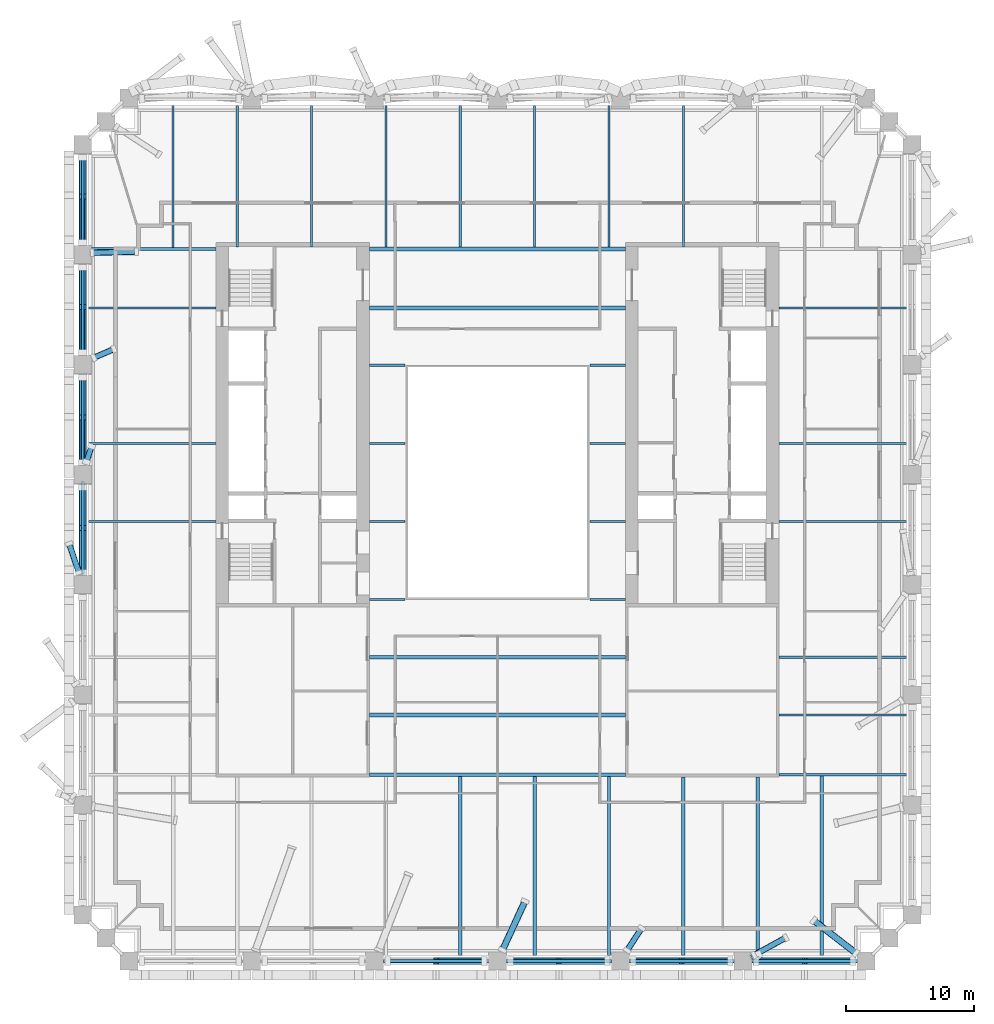
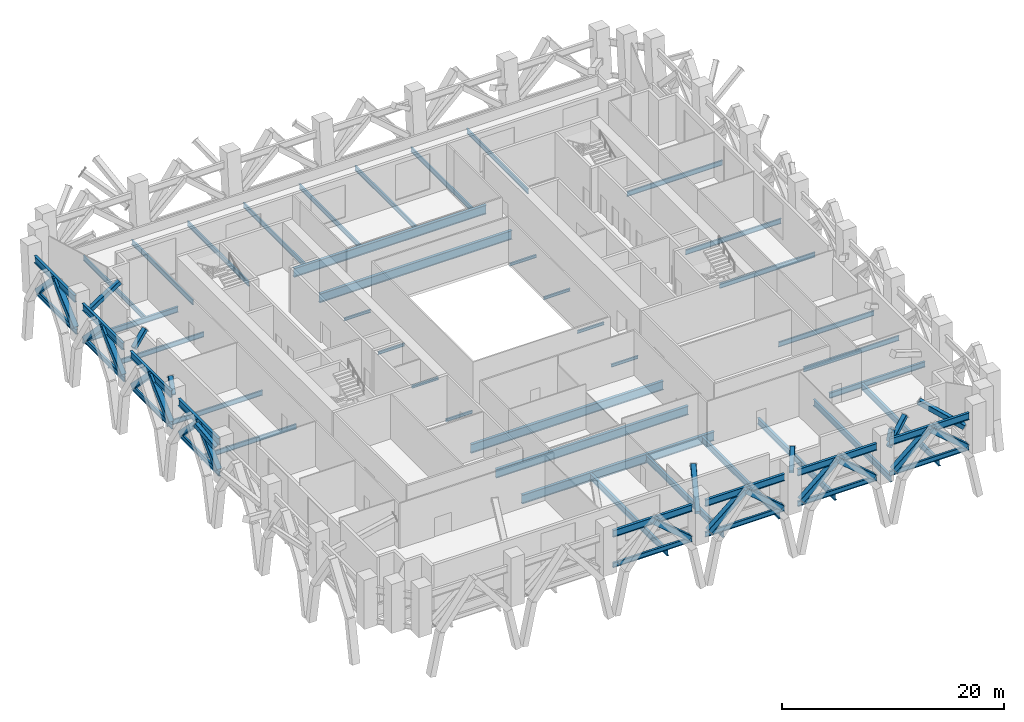
# One storey, part 2 of 19: 53 beams, 24 members.
"""IFC4 building model written with IfcOpenShell, lengths in metres."""

from ifc_helpers import new_model, si_unit, direction, frame, origin, origin_2d, place, context, subcontext, project, spatial, hollow_rectangle, i_section, extrude, material, material_profile, profile_set, type_object, element, save


model = new_model("IFC4")

# Units and contexts
model_context = context("Model", 3, precision=1e-05, world=origin(), true_north=direction((0.0, 1.0)))
body_context = subcontext(model_context, "Body", "Model", "MODEL_VIEW")
ifc_project = project(units=[si_unit("LENGTHUNIT", "METRE"), si_unit("AREAUNIT", "SQUARE_METRE"), si_unit("VOLUMEUNIT", "CUBIC_METRE"), si_unit("PLANEANGLEUNIT", "RADIAN"), si_unit("MASSUNIT", "GRAM", prefix="KILO")], contexts=[model_context])

# Site, building, storey
site_placement = place(None, origin())
site = spatial("IfcSite", under=ifc_project, at=site_placement, CompositionType="ELEMENT")
building_placement = place(site_placement, origin())
building = spatial("IfcBuilding", under=site, at=building_placement, Name="Ogive Exchange Tower", CompositionType="ELEMENT")
storey_placement = place(building_placement, frame((0.0, 0.0, 94.199951171875)))
storey = spatial("IfcBuildingStorey", under=building, at=storey_placement, Name="L20", CompositionType="ELEMENT", Elevation=94.199951171875)

# Beams
ifc_material_1 = material(Name="Steel ASTM A992 Gr50", Category="steel")
ifc_material_profile_1 = material_profile(ifc_material_1, i_section(OverallWidth=0.2099609375, OverallDepth=0.535888671875, WebThickness=0.010986328125, FlangeThickness=0.017333984375, at=origin_2d()), Name="W530x101")
ifc_profile_set_1 = profile_set([ifc_material_profile_1], Name="Steel ASTM A992 Gr50")
beam_type_1 = type_object("IfcBeamType", Name="Belt truss bottom chord W530x101", PredefinedType="BEAM", material=ifc_profile_set_1)
for number, where, z_axis, x_axis, name in (
    (1, (-8.919921875, -30.39990234375, 0.400146484375), (1.0, 0.0, 0.0), (0.0, 1.0, 0.0), "Belt truss bottom chord 3"),
    (2, (0.679931640625, -30.39990234375, 0.400146484375), (1.0, 0.0, 0.0), (0.0, 1.0, 0.0), "Belt truss bottom chord 4"),
    (3, (10.280029296875, -30.39990234375, 0.400146484375), (1.0, 0.0, 0.0), (0.0, 1.0, 0.0), "Belt truss bottom chord 5"),
):
    element("IfcBeam", number, at=place(storey_placement, frame(where, z_axis=z_axis, x_axis=x_axis)), inside=storey, type_object=beam_type_1, Name=name, PredefinedType="BEAM", context=body_context, shape_type="SweptSolid", body=[
        extrude(i_section(OverallWidth=0.2099609375, OverallDepth=0.535888671875, WebThickness=0.010986328125, FlangeThickness=0.017333984375, at=origin_2d()), origin(), (0.0, 0.0, 1.0), 8.239990234375),
    ])
beam_1_placement = place(storey_placement, frame((19.8798828125, -30.39990234375, 0.400146484375), z_axis=(1.0, 0.0, 0.0), x_axis=(0.0, 1.0, 0.0)))
element("IfcBeam", 4, at=beam_1_placement, inside=storey, type_object=beam_type_1, Name="Belt truss bottom chord 6", PredefinedType="BEAM", context=body_context, shape_type="SweptSolid", body=[
    extrude(i_section(OverallWidth=0.2099609375, OverallDepth=0.535888671875, WebThickness=0.010986328125, FlangeThickness=0.017333984375, at=origin_2d()), origin(), (0.0, 0.0, 1.0), 8.240234375),
])
beam_2_placement = place(storey_placement, frame((-32.39990234375, 32.66552734375, 0.400146484375), z_axis=(0.0, -1.0, 0.0), x_axis=(1.0, 0.0, 0.0)))
element("IfcBeam", 5, at=beam_2_placement, inside=storey, type_object=beam_type_1, Name="Belt truss bottom chord 26", PredefinedType="BEAM", context=body_context, shape_type="SweptSolid", body=[
    extrude(i_section(OverallWidth=0.2099609375, OverallDepth=0.535888671875, WebThickness=0.010986328125, FlangeThickness=0.017333984375, at=origin_2d()), origin(), (0.0, 0.0, 1.0), 7.232421875),
])
for number, where, z_axis, x_axis, name in (
    (6, (-32.39990234375, 24.0732421875, 0.400146484375), (0.0, -1.0, 0.0), (1.0, 0.0, 0.0), "Belt truss bottom chord 27"),
    (7, (-32.39990234375, 15.48095703125, 0.400146484375), (0.0, -1.0, 0.0), (1.0, 0.0, 0.0), "Belt truss bottom chord 28"),
):
    element("IfcBeam", number, at=place(storey_placement, frame(where, z_axis=z_axis, x_axis=x_axis)), inside=storey, type_object=beam_type_1, Name=name, PredefinedType="BEAM", context=body_context, shape_type="SweptSolid", body=[
        extrude(i_section(OverallWidth=0.2099609375, OverallDepth=0.535888671875, WebThickness=0.010986328125, FlangeThickness=0.017333984375, at=origin_2d()), origin(), (0.0, 0.0, 1.0), 7.232177734375),
    ])
beam_3_placement = place(storey_placement, frame((-32.39990234375, 6.888916015625, 0.400146484375), z_axis=(0.0, -1.0, 0.0), x_axis=(1.0, 0.0, 0.0)))
element("IfcBeam", 8, at=beam_3_placement, inside=storey, type_object=beam_type_1, Name="Belt truss bottom chord 29", PredefinedType="BEAM", context=body_context, shape_type="SweptSolid", body=[
    extrude(i_section(OverallWidth=0.2099609375, OverallDepth=0.535888671875, WebThickness=0.010986328125, FlangeThickness=0.017333984375, at=origin_2d()), origin(), (0.0, 0.0, 1.0), 7.232421875),
])

# Members
ifc_material_2 = material(Name="Steel ASTM A1085 Gr A", Category="steel")
ifc_material_profile_2 = material_profile(ifc_material_2, hollow_rectangle(XDim=0.55908203125, YDim=0.55908203125, WallThickness=0.022216796875, InnerFilletRadius=0.022216796875, OuterFilletRadius=0.04443359375, at=origin_2d()), Name="HSS558.8x558.8x22.2")
ifc_profile_set_2 = profile_set([ifc_material_profile_2], Name="Steel ASTM A1085 Gr A")
member_type_1 = type_object("IfcMemberType", Name="Belt truss diagonal HSS558.8x558.8x22.2", PredefinedType="BRACE", material=ifc_profile_set_2)
for number, where, z_axis, x_axis, name in (
    (9, (-1.01708984375, -30.39990234375, 0.68408203125), (-0.764580966565, 0.0, 0.644527691854), (0.0, -1.0, 0.0), "Belt truss diagonal 3b"),
    (10, (1.01708984375, -30.39990234375, 0.68408203125), (0.764580966565, 0.0, 0.644527691854), (0.0, 1.0, 0.0), "Belt truss diagonal 4a"),
    (11, (8.5830078125, -30.39990234375, 0.68408203125), (-0.764580966565, 0.0, 0.644527691854), (0.0, -1.0, 0.0), "Belt truss diagonal 4b"),
    (12, (10.616943359375, -30.39990234375, 0.68408203125), (0.764580966565, 0.0, 0.644527691854), (0.0, 1.0, 0.0), "Belt truss diagonal 5a"),
):
    element("IfcMember", number, at=place(storey_placement, frame(where, z_axis=z_axis, x_axis=x_axis)), inside=storey, type_object=member_type_1, Name=name, PredefinedType="BRACE", context=body_context, shape_type="SweptSolid", body=[
        extrude(hollow_rectangle(XDim=0.55908203125, YDim=0.55908203125, WallThickness=0.022216796875, InnerFilletRadius=0.022216796875, OuterFilletRadius=0.04443359375, at=origin_2d()), origin(), (0.0, 0.0, 1.0), 4.94775390625),
    ])
member_1_placement = place(storey_placement, frame((18.18310546875, -30.39990234375, 0.68408203125), z_axis=(-0.764601463574, 0.0, 0.644503376175), x_axis=(0.0, -1.0, 0.0)))
element("IfcMember", 13, at=member_1_placement, inside=storey, type_object=member_type_1, Name="Belt truss diagonal 5b", PredefinedType="BRACE", context=body_context, shape_type="SweptSolid", body=[
    extrude(hollow_rectangle(XDim=0.55908203125, YDim=0.55908203125, WallThickness=0.022216796875, InnerFilletRadius=0.022216796875, OuterFilletRadius=0.04443359375, at=origin_2d()), origin(), (0.0, 0.0, 1.0), 4.947998046875),
])
for number, where, z_axis, x_axis, name in (
    (14, (20.217041015625, -30.39990234375, 0.68408203125), (0.764580966565, 0.0, 0.644527691854), (0.0, 1.0, 0.0), "Belt truss diagonal 6a"),
    (15, (27.782958984375, -30.39990234375, 0.68408203125), (-0.764580966565, 0.0, 0.644527691854), (0.0, -1.0, 0.0), "Belt truss diagonal 6b"),
):
    element("IfcMember", number, at=place(storey_placement, frame(where, z_axis=z_axis, x_axis=x_axis)), inside=storey, type_object=member_type_1, Name=name, PredefinedType="BRACE", context=body_context, shape_type="SweptSolid", body=[
        extrude(hollow_rectangle(XDim=0.55908203125, YDim=0.55908203125, WallThickness=0.022216796875, InnerFilletRadius=0.022216796875, OuterFilletRadius=0.04443359375, at=origin_2d()), origin(), (0.0, 0.0, 1.0), 4.94775390625),
    ])
member_2_placement = place(storey_placement, frame((-32.39990234375, 32.391845703125, 0.68603515625), z_axis=(0.0, -0.691325690008, 0.722543279212), x_axis=(1.0, 0.0, 0.0)))
element("IfcMember", 16, at=member_2_placement, inside=storey, type_object=member_type_1, Name="Belt truss diagonal 26a", PredefinedType="BRACE", context=body_context, shape_type="SweptSolid", body=[
    extrude(hollow_rectangle(XDim=0.55908203125, YDim=0.55908203125, WallThickness=0.022216796875, InnerFilletRadius=0.022216796875, OuterFilletRadius=0.04443359375, at=origin_2d()), origin(), (0.0, 0.0, 1.0), 4.410888671875),
])
member_3_placement = place(storey_placement, frame((-32.39990234375, 25.753662109375, 0.6845703125), z_axis=(0.0, 0.747577644333, 0.664174424149), x_axis=(-1.0, 0.0, 0.0)))
element("IfcMember", 17, at=member_3_placement, inside=storey, type_object=member_type_1, Name="Belt truss diagonal 26b", PredefinedType="BRACE", context=body_context, shape_type="SweptSolid", body=[
    extrude(hollow_rectangle(XDim=0.55908203125, YDim=0.55908203125, WallThickness=0.022216796875, InnerFilletRadius=0.022216796875, OuterFilletRadius=0.04443359375, at=origin_2d()), origin(), (0.0, 0.0, 1.0), 4.80078125),
])
member_4_placement = place(storey_placement, frame((-32.39990234375, 23.7958984375, 0.68603515625), z_axis=(0.0, -0.696190494053, 0.717857086048), x_axis=(1.0, 0.0, 0.0)))
element("IfcMember", 18, at=member_4_placement, inside=storey, type_object=member_type_1, Name="Belt truss diagonal 27a", PredefinedType="BRACE", context=body_context, shape_type="SweptSolid", body=[
    extrude(hollow_rectangle(XDim=0.55908203125, YDim=0.55908203125, WallThickness=0.022216796875, InnerFilletRadius=0.022216796875, OuterFilletRadius=0.04443359375, at=origin_2d()), origin(), (0.0, 0.0, 1.0), 4.439697265625),
])
member_5_placement = place(storey_placement, frame((-32.39990234375, 17.15771484375, 0.684814453125), z_axis=(0.0, 0.743752112809, 0.66845552933), x_axis=(-1.0, 0.0, 0.0)))
element("IfcMember", 19, at=member_5_placement, inside=storey, type_object=member_type_1, Name="Belt truss diagonal 27b", PredefinedType="BRACE", context=body_context, shape_type="SweptSolid", body=[
    extrude(hollow_rectangle(XDim=0.55908203125, YDim=0.55908203125, WallThickness=0.022216796875, InnerFilletRadius=0.022216796875, OuterFilletRadius=0.04443359375, at=origin_2d()), origin(), (0.0, 0.0, 1.0), 4.76953125),
])
member_6_placement = place(storey_placement, frame((-32.39990234375, 15.2001953125, 0.685791015625), z_axis=(0.0, -0.700933922614, 0.713226216658), x_axis=(1.0, 0.0, 0.0)))
element("IfcMember", 20, at=member_6_placement, inside=storey, type_object=member_type_1, Name="Belt truss diagonal 28a", PredefinedType="BRACE", context=body_context, shape_type="SweptSolid", body=[
    extrude(hollow_rectangle(XDim=0.55908203125, YDim=0.55908203125, WallThickness=0.022216796875, InnerFilletRadius=0.022216796875, OuterFilletRadius=0.04443359375, at=origin_2d()), origin(), (0.0, 0.0, 1.0), 4.46875),
])
member_7_placement = place(storey_placement, frame((-32.39990234375, 8.56201171875, 0.684814453125), z_axis=(0.0, 0.739825833074, 0.672798436916), x_axis=(-1.0, 0.0, 0.0)))
element("IfcMember", 21, at=member_7_placement, inside=storey, type_object=member_type_1, Name="Belt truss diagonal 28b", PredefinedType="BRACE", context=body_context, shape_type="SweptSolid", body=[
    extrude(hollow_rectangle(XDim=0.55908203125, YDim=0.55908203125, WallThickness=0.022216796875, InnerFilletRadius=0.022216796875, OuterFilletRadius=0.04443359375, at=origin_2d()), origin(), (0.0, 0.0, 1.0), 4.73876953125),
])
member_8_placement = place(storey_placement, frame((-32.39990234375, 6.604248046875, 0.685791015625), z_axis=(0.0, -0.705585308717, 0.708624986945), x_axis=(1.0, 0.0, 0.0)))
element("IfcMember", 22, at=member_8_placement, inside=storey, type_object=member_type_1, Name="Belt truss diagonal 29a", PredefinedType="BRACE", context=body_context, shape_type="SweptSolid", body=[
    extrude(hollow_rectangle(XDim=0.55908203125, YDim=0.55908203125, WallThickness=0.022216796875, InnerFilletRadius=0.022216796875, OuterFilletRadius=0.04443359375, at=origin_2d()), origin(), (0.0, 0.0, 1.0), 4.497802734375),
])
member_9_placement = place(storey_placement, frame((-32.39990234375, -0.03369140625, 0.68505859375), z_axis=(0.0, 0.735848322951, 0.67714639895), x_axis=(-1.0, 0.0, 0.0)))
element("IfcMember", 23, at=member_9_placement, inside=storey, type_object=member_type_1, Name="Belt truss diagonal 29b", PredefinedType="BRACE", context=body_context, shape_type="SweptSolid", body=[
    extrude(hollow_rectangle(XDim=0.55908203125, YDim=0.55908203125, WallThickness=0.022216796875, InnerFilletRadius=0.022216796875, OuterFilletRadius=0.04443359375, at=origin_2d()), origin(), (0.0, 0.0, 1.0), 4.7080078125),
])

# Beams
ifc_material_profile_3 = material_profile(ifc_material_1, i_section(OverallWidth=0.26708984375, OverallDepth=0.75390625, WebThickness=0.01318359375, FlangeThickness=0.01708984375, at=origin_2d()), Name="W760x147")
ifc_profile_set_3 = profile_set([ifc_material_profile_3], Name="Steel ASTM A992 Gr50")
beam_type_2 = type_object("IfcBeamType", Name="Belt truss top chord W760x147", PredefinedType="BEAM", material=ifc_profile_set_3)
for number, where, z_axis, x_axis, name in (
    (24, (-8.919921875, -30.39990234375, 3.873046875), (1.0, 0.0, 0.0), (0.0, 1.0, 0.0), "Belt truss top chord 3"),
    (25, (0.679931640625, -30.39990234375, 3.873046875), (1.0, 0.0, 0.0), (0.0, 1.0, 0.0), "Belt truss top chord 4"),
    (26, (10.280029296875, -30.39990234375, 3.873046875), (1.0, 0.0, 0.0), (0.0, 1.0, 0.0), "Belt truss top chord 5"),
):
    element("IfcBeam", number, at=place(storey_placement, frame(where, z_axis=z_axis, x_axis=x_axis)), inside=storey, type_object=beam_type_2, Name=name, PredefinedType="BEAM", context=body_context, shape_type="SweptSolid", body=[
        extrude(i_section(OverallWidth=0.26708984375, OverallDepth=0.75390625, WebThickness=0.01318359375, FlangeThickness=0.01708984375, at=origin_2d()), origin(), (0.0, 0.0, 1.0), 8.239990234375),
    ])
beam_4_placement = place(storey_placement, frame((19.8798828125, -30.39990234375, 3.873046875), z_axis=(1.0, 0.0, 0.0), x_axis=(0.0, 1.0, 0.0)))
element("IfcBeam", 27, at=beam_4_placement, inside=storey, type_object=beam_type_2, Name="Belt truss top chord 6", PredefinedType="BEAM", context=body_context, shape_type="SweptSolid", body=[
    extrude(i_section(OverallWidth=0.26708984375, OverallDepth=0.75390625, WebThickness=0.01318359375, FlangeThickness=0.01708984375, at=origin_2d()), origin(), (0.0, 0.0, 1.0), 8.240234375),
])
for number, where, z_axis, x_axis, name in (
    (28, (-32.39990234375, 32.981201171875, 3.873046875), (0.0, -1.0, 0.0), (1.0, 0.0, 0.0), "Belt truss top chord 26"),
    (29, (-32.39990234375, 24.343994140625, 3.873046875), (0.0, -1.0, 0.0), (1.0, 0.0, 0.0), "Belt truss top chord 27"),
    (30, (-32.39990234375, 15.70654296875, 3.873046875), (0.0, -1.0, 0.0), (1.0, 0.0, 0.0), "Belt truss top chord 28"),
):
    element("IfcBeam", number, at=place(storey_placement, frame(where, z_axis=z_axis, x_axis=x_axis)), inside=storey, type_object=beam_type_2, Name=name, PredefinedType="BEAM", context=body_context, shape_type="SweptSolid", body=[
        extrude(i_section(OverallWidth=0.26708984375, OverallDepth=0.75390625, WebThickness=0.01318359375, FlangeThickness=0.01708984375, at=origin_2d()), origin(), (0.0, 0.0, 1.0), 7.27734375),
    ])
beam_5_placement = place(storey_placement, frame((-32.39990234375, 7.069091796875, 3.873046875), z_axis=(0.0, -1.0, 0.0), x_axis=(1.0, 0.0, 0.0)))
element("IfcBeam", 31, at=beam_5_placement, inside=storey, type_object=beam_type_2, Name="Belt truss top chord 29", PredefinedType="BEAM", context=body_context, shape_type="SweptSolid", body=[
    extrude(i_section(OverallWidth=0.26708984375, OverallDepth=0.75390625, WebThickness=0.01318359375, FlangeThickness=0.01708984375, at=origin_2d()), origin(), (0.0, 0.0, 1.0), 7.277099609375),
])

# Members
ifc_material_profile_4 = material_profile(ifc_material_2, hollow_rectangle(XDim=0.45703125, YDim=0.45703125, WallThickness=0.01904296875, InnerFilletRadius=0.01904296875, OuterFilletRadius=0.0380859375, at=origin_2d()), Name="HSS457.2x457.2x19")
ifc_profile_set_4 = profile_set([ifc_material_profile_4], Name="Steel ASTM A1085 Gr A")
member_type_2 = type_object("IfcMemberType", Name="Block-change strut HSS457.2x457.2x19", PredefinedType="STRUT", material=ifc_profile_set_4)
member_10_placement = place(storey_placement, frame((10.13671875, -29.569091796875, 3.4609375), z_axis=(0.461104383055, 0.713938937019, 0.526947760348), x_axis=(-0.840029285963, 0.542541057179, 0.0)))
element("IfcMember", 32, at=member_10_placement, inside=storey, type_object=member_type_2, Name="Block-change strut 6", PredefinedType="STRUT", context=body_context, shape_type="SweptSolid", body=[
    extrude(hollow_rectangle(XDim=0.45703125, YDim=0.45703125, WallThickness=0.01904296875, InnerFilletRadius=0.01904296875, OuterFilletRadius=0.0380859375, at=origin_2d()), origin(), (0.0, 0.0, 1.0), 2.432373046875),
])
member_11_placement = place(storey_placement, frame((20.051513671875, -30.052001953125, 3.7080078125), z_axis=(0.267394352457, 0.109148832793, 0.957385393963), x_axis=(-0.377921574492, 0.925837611859, 0.0)))
element("IfcMember", 33, at=member_11_placement, inside=storey, type_object=member_type_2, Name="Block-change strut 7", PredefinedType="STRUT", context=body_context, shape_type="SweptSolid", body=[
    extrude(hollow_rectangle(XDim=0.45703125, YDim=0.45703125, WallThickness=0.01904296875, InnerFilletRadius=0.01904296875, OuterFilletRadius=0.0380859375, at=origin_2d()), origin(), (0.0, 0.0, 1.0), 1.203369140625),
])
member_12_placement = place(storey_placement, frame((-31.6630859375, 24.94140625, 2.6123046875), z_axis=(0.849674650056, 0.019264123196, 0.526955294697), x_axis=(-0.022666527571, 0.99974308126, 0.0)))
element("IfcMember", 34, at=member_12_placement, inside=storey, type_object=member_type_2, Name="Block-change strut 25", PredefinedType="STRUT", context=body_context, shape_type="SweptSolid", body=[
    extrude(hollow_rectangle(XDim=0.45703125, YDim=0.45703125, WallThickness=0.01904296875, InnerFilletRadius=0.01904296875, OuterFilletRadius=0.0380859375, at=origin_2d()), origin(), (0.0, 0.0, 1.0), 4.042724609375),
])
member_13_placement = place(storey_placement, frame((-31.536376953125, 16.739501953125, 3.576171875), z_axis=(0.755142815797, 0.326205581655, 0.568638062609), x_axis=(-0.396560179931, 0.91800872746, 0.0)))
element("IfcMember", 35, at=member_13_placement, inside=storey, type_object=member_type_2, Name="Block-change strut 26", PredefinedType="STRUT", context=body_context, shape_type="SweptSolid", body=[
    extrude(hollow_rectangle(XDim=0.45703125, YDim=0.45703125, WallThickness=0.01904296875, InnerFilletRadius=0.01904296875, OuterFilletRadius=0.0380859375, at=origin_2d()), origin(), (0.0, 0.0, 1.0), 2.060302734375),
])
member_14_placement = place(storey_placement, frame((-32.118896484375, 8.5908203125, 3.598388671875), z_axis=(0.22977856659, 0.701064863993, 0.675062861377), x_axis=(-0.950261142848, 0.311454266936, 0.0)))
element("IfcMember", 36, at=member_14_placement, inside=storey, type_object=member_type_2, Name="Block-change strut 27", PredefinedType="STRUT", context=body_context, shape_type="SweptSolid", body=[
    extrude(hollow_rectangle(XDim=0.45703125, YDim=0.45703125, WallThickness=0.01904296875, InnerFilletRadius=0.01904296875, OuterFilletRadius=0.0380859375, at=origin_2d()), origin(), (0.0, 0.0, 1.0), 1.7275390625),
])
member_15_placement = place(storey_placement, frame((-32.6943359375, -0.051025390625, 3.26806640625), z_axis=(-0.274984352069, 0.804189643836, 0.526937019827), x_axis=(-0.946211957702, -0.323547417084, 0.0)))
element("IfcMember", 37, at=member_15_placement, inside=storey, type_object=member_type_2, Name="Block-change strut 28", PredefinedType="STRUT", context=body_context, shape_type="SweptSolid", body=[
    extrude(hollow_rectangle(XDim=0.45703125, YDim=0.45703125, WallThickness=0.01904296875, InnerFilletRadius=0.01904296875, OuterFilletRadius=0.0380859375, at=origin_2d()), origin(), (0.0, 0.0, 1.0), 2.79833984375),
])
member_16_placement = place(storey_placement, frame((20.052001953125, -29.932861328125, 2.997314453125), z_axis=(0.745182768834, 0.408708056695, 0.526934877784), x_axis=(-0.480886379384, 0.876782920752, 0.0)))
element("IfcMember", 38, at=member_16_placement, inside=storey, type_object=member_type_2, Name="Block-change strut 31", PredefinedType="STRUT", context=body_context, shape_type="SweptSolid", body=[
    extrude(hollow_rectangle(XDim=0.45703125, YDim=0.45703125, WallThickness=0.01904296875, InnerFilletRadius=0.01904296875, OuterFilletRadius=0.0380859375, at=origin_2d()), origin(), (0.0, 0.0, 1.0), 3.312255859375),
])
ifc_material_profile_5 = material_profile(ifc_material_2, hollow_rectangle(XDim=0.508056640625, YDim=0.508056640625, WallThickness=0.01904296875, InnerFilletRadius=0.01904296875, OuterFilletRadius=0.0380859375, at=origin_2d()), Name="HSS508x508x19")
ifc_profile_set_5 = profile_set([ifc_material_profile_5], Name="Steel ASTM A1085 Gr A")
member_type_3 = type_object("IfcMemberType", Name="Block-change strut HSS508x508x19", PredefinedType="STRUT", material=ifc_profile_set_5)
member_17_placement = place(storey_placement, frame((0.397705078125, -29.536865234375, 2.341552734375), z_axis=(0.363906861439, 0.79016299709, 0.493167551879), x_axis=(-0.908301874762, 0.418315316841, 0.0)))
element("IfcMember", 39, at=member_17_placement, inside=storey, type_object=member_type_3, Name="Block-change strut 5", PredefinedType="STRUT", context=body_context, shape_type="SweptSolid", body=[
    extrude(hollow_rectangle(XDim=0.508056640625, YDim=0.508056640625, WallThickness=0.01904296875, InnerFilletRadius=0.01904296875, OuterFilletRadius=0.0380859375, at=origin_2d()), origin(), (0.0, 0.0, 1.0), 4.81640625),
])
member_18_placement = place(storey_placement, frame((28.006591796875, -29.784912109375, 2.341796875), z_axis=(-0.686561834963, 0.532170714025, 0.495406073749), x_axis=(-0.612633006979, -0.790367508669, 0.0)))
element("IfcMember", 40, at=member_18_placement, inside=storey, type_object=member_type_3, Name="Block-change strut 8", PredefinedType="STRUT", context=body_context, shape_type="SweptSolid", body=[
    extrude(hollow_rectangle(XDim=0.508056640625, YDim=0.508056640625, WallThickness=0.01904296875, InnerFilletRadius=0.01904296875, OuterFilletRadius=0.0380859375, at=origin_2d()), origin(), (0.0, 0.0, 1.0), 4.79443359375),
])

# Beams
ifc_material_profile_6 = material_profile(ifc_material_1, i_section(OverallWidth=0.300048828125, OverallDepth=0.969970703125, WebThickness=0.01611328125, FlangeThickness=0.02099609375, at=origin_2d()), Name="W1000x222")
ifc_profile_set_6 = profile_set([ifc_material_profile_6], Name="Steel ASTM A992 Gr50")
beam_type_3 = type_object("IfcBeamType", Name="Floor beam W1000x222", PredefinedType="JOIST", material=ifc_profile_set_6)
for number, where, z_axis, x_axis, name in (
    (41, (-10.0, -11.17822265625, -0.784912109375), (1.0, 0.0, 0.0), (0.0, 1.0, 0.0), "Floor beam"),
    (42, (-10.0, -6.666748046875, -0.784912109375), (1.0, 0.0, 0.0), (0.0, 1.0, 0.0), "Floor beam"),
    (43, (-10.0, 20.62255859375, -0.784912109375), (1.0, 0.0, 0.0), (0.0, 1.0, 0.0), "Floor beam"),
):
    element("IfcBeam", number, at=place(storey_placement, frame(where, z_axis=z_axis, x_axis=x_axis)), inside=storey, type_object=beam_type_3, Name=name, PredefinedType="JOIST", context=body_context, shape_type="SweptSolid", body=[
        extrude(i_section(OverallWidth=0.300048828125, OverallDepth=0.969970703125, WebThickness=0.01611328125, FlangeThickness=0.02099609375, at=origin_2d()), origin(), (0.0, 0.0, 1.0), 20.0),
    ])
ifc_material_profile_7 = material_profile(ifc_material_1, i_section(OverallWidth=0.1650390625, OverallDepth=0.31005859375, WebThickness=0.005859375, FlangeThickness=0.009765625, at=origin_2d()), Name="W310x38.7")
ifc_profile_set_7 = profile_set([ifc_material_profile_7], Name="Steel ASTM A992 Gr50")
beam_type_4 = type_object("IfcBeamType", Name="Floor beam W310x38.7", PredefinedType="JOIST", material=ifc_profile_set_7)
for number, where, z_axis, x_axis, name in (
    (44, (-10.0, 3.9482421875, -0.454833984375), (1.0, 0.0, 0.0), (0.0, 1.0, 0.0), "Floor beam"),
    (45, (7.219970703125, 3.9482421875, -0.454833984375), (1.0, 0.0, 0.0), (0.0, 1.0, 0.0), "Floor beam"),
    (46, (-10.0, 10.0517578125, -0.454833984375), (1.0, 0.0, 0.0), (0.0, 1.0, 0.0), "Floor beam"),
    (47, (7.219970703125, 10.0517578125, -0.454833984375), (1.0, 0.0, 0.0), (0.0, 1.0, 0.0), "Floor beam"),
):
    element("IfcBeam", number, at=place(storey_placement, frame(where, z_axis=z_axis, x_axis=x_axis)), inside=storey, type_object=beam_type_4, Name=name, PredefinedType="JOIST", context=body_context, shape_type="SweptSolid", body=[
        extrude(i_section(OverallWidth=0.1650390625, OverallDepth=0.31005859375, WebThickness=0.005859375, FlangeThickness=0.009765625, at=origin_2d()), origin(), (0.0, 0.0, 1.0), 2.780029296875),
    ])
ifc_material_profile_8 = material_profile(ifc_material_1, i_section(OverallWidth=0.1669921875, OverallDepth=0.535888671875, WebThickness=0.01025390625, FlangeThickness=0.0166015625, at=origin_2d()), Name="W530x85")
ifc_profile_set_8 = profile_set([ifc_material_profile_8], Name="Steel ASTM A992 Gr50")
beam_type_5 = type_object("IfcBeamType", Name="Floor beam W530x85", PredefinedType="JOIST", material=ifc_profile_set_8)
for number, where, z_axis, x_axis, name in (
    (48, (22.0, -11.17822265625, -0.56787109375), (1.0, 0.0, 0.0), (0.0, 1.0, 0.0), "Floor beam"),
    (49, (22.0, -6.666748046875, -0.56787109375), (1.0, 0.0, 0.0), (0.0, 1.0, 0.0), "Floor beam"),
    (50, (-31.949951171875, 3.9482421875, -0.56787109375), (1.0, 0.0, 0.0), (0.0, 1.0, 0.0), "Floor beam"),
    (51, (22.0, 3.9482421875, -0.56787109375), (1.0, 0.0, 0.0), (0.0, 1.0, 0.0), "Floor beam"),
    (52, (-31.949951171875, 10.0517578125, -0.56787109375), (1.0, 0.0, 0.0), (0.0, 1.0, 0.0), "Floor beam"),
    (53, (22.0, 10.0517578125, -0.56787109375), (1.0, 0.0, 0.0), (0.0, 1.0, 0.0), "Floor beam"),
    (54, (-31.949951171875, 20.62255859375, -0.56787109375), (1.0, 0.0, 0.0), (0.0, 1.0, 0.0), "Floor beam"),
    (55, (22.0, 20.62255859375, -0.56787109375), (1.0, 0.0, 0.0), (0.0, 1.0, 0.0), "Floor beam"),
):
    element("IfcBeam", number, at=place(storey_placement, frame(where, z_axis=z_axis, x_axis=x_axis)), inside=storey, type_object=beam_type_5, Name=name, PredefinedType="JOIST", context=body_context, shape_type="SweptSolid", body=[
        extrude(i_section(OverallWidth=0.1669921875, OverallDepth=0.535888671875, WebThickness=0.01025390625, FlangeThickness=0.0166015625, at=origin_2d()), origin(), (0.0, 0.0, 1.0), 9.949951171875),
    ])
beam_6_placement = place(storey_placement, frame((-25.3408203125, 25.35888671875, -0.56787109375), z_axis=(0.0, 1.0, 0.0), x_axis=(-1.0, 0.0, 0.0)))
element("IfcBeam", 56, at=beam_6_placement, inside=storey, type_object=beam_type_5, Name="Floor beam", PredefinedType="JOIST", context=body_context, shape_type="SweptSolid", body=[
    extrude(i_section(OverallWidth=0.1669921875, OverallDepth=0.535888671875, WebThickness=0.01025390625, FlangeThickness=0.0166015625, at=origin_2d()), origin(), (0.0, 0.0, 1.0), 11.10009765625),
])
for number, where, z_axis, x_axis, name in (
    (57, (-20.331787109375, 25.39990234375, -0.56787109375), (0.0, 1.0, 0.0), (-1.0, 0.0, 0.0), "Floor beam"),
    (58, (-14.522705078125, 25.39990234375, -0.56787109375), (0.0, 1.0, 0.0), (-1.0, 0.0, 0.0), "Floor beam"),
):
    element("IfcBeam", number, at=place(storey_placement, frame(where, z_axis=z_axis, x_axis=x_axis)), inside=storey, type_object=beam_type_5, Name=name, PredefinedType="JOIST", context=body_context, shape_type="SweptSolid", body=[
        extrude(i_section(OverallWidth=0.1669921875, OverallDepth=0.535888671875, WebThickness=0.01025390625, FlangeThickness=0.0166015625, at=origin_2d()), origin(), (0.0, 0.0, 1.0), 11.05908203125),
    ])
for number, where, z_axis, x_axis, name in (
    (59, (-8.713623046875, 25.39501953125, -0.56787109375), (0.0, 1.0, 0.0), (-1.0, 0.0, 0.0), "Floor beam"),
    (60, (-2.904541015625, 25.39501953125, -0.56787109375), (0.0, 1.0, 0.0), (-1.0, 0.0, 0.0), "Floor beam"),
    (61, (2.904541015625, 25.39501953125, -0.56787109375), (0.0, 1.0, 0.0), (-1.0, 0.0, 0.0), "Floor beam"),
    (62, (8.713623046875, 25.39501953125, -0.56787109375), (0.0, 1.0, 0.0), (-1.0, 0.0, 0.0), "Floor beam"),
):
    element("IfcBeam", number, at=place(storey_placement, frame(where, z_axis=z_axis, x_axis=x_axis)), inside=storey, type_object=beam_type_5, Name=name, PredefinedType="JOIST", context=body_context, shape_type="SweptSolid", body=[
        extrude(i_section(OverallWidth=0.1669921875, OverallDepth=0.535888671875, WebThickness=0.01025390625, FlangeThickness=0.0166015625, at=origin_2d()), origin(), (0.0, 0.0, 1.0), 11.06396484375),
    ])
beam_7_placement = place(storey_placement, frame((14.522705078125, 25.39990234375, -0.56787109375), z_axis=(0.0, 1.0, 0.0), x_axis=(-1.0, 0.0, 0.0)))
element("IfcBeam", 63, at=beam_7_placement, inside=storey, type_object=beam_type_5, Name="Floor beam", PredefinedType="JOIST", context=body_context, shape_type="SweptSolid", body=[
    extrude(i_section(OverallWidth=0.1669921875, OverallDepth=0.535888671875, WebThickness=0.01025390625, FlangeThickness=0.0166015625, at=origin_2d()), origin(), (0.0, 0.0, 1.0), 11.05908203125),
])
ifc_material_profile_9 = material_profile(ifc_material_1, i_section(OverallWidth=0.25390625, OverallDepth=0.677978515625, WebThickness=0.01171875, FlangeThickness=0.016357421875, at=origin_2d()), Name="W690x125")
ifc_profile_set_9 = profile_set([ifc_material_profile_9], Name="Steel ASTM A992 Gr50")
beam_type_6 = type_object("IfcBeamType", Name="Floor beam W690x125", PredefinedType="JOIST", material=ifc_profile_set_9)
for number, where, z_axis, x_axis, name in (
    (64, (-2.904541015625, -29.949951171875, -0.638916015625), (0.0, 1.0, 0.0), (-1.0, 0.0, 0.0), "Floor beam"),
    (65, (2.904541015625, -29.949951171875, -0.638916015625), (0.0, 1.0, 0.0), (-1.0, 0.0, 0.0), "Floor beam"),
    (66, (8.713623046875, -29.949951171875, -0.638916015625), (0.0, 1.0, 0.0), (-1.0, 0.0, 0.0), "Floor beam"),
):
    element("IfcBeam", number, at=place(storey_placement, frame(where, z_axis=z_axis, x_axis=x_axis)), inside=storey, type_object=beam_type_6, Name=name, PredefinedType="JOIST", context=body_context, shape_type="SweptSolid", body=[
        extrude(i_section(OverallWidth=0.25390625, OverallDepth=0.677978515625, WebThickness=0.01171875, FlangeThickness=0.016357421875, at=origin_2d()), origin(), (0.0, 0.0, 1.0), 13.954833984375),
    ])
for number, where, z_axis, x_axis, name in (
    (67, (14.522705078125, -29.949951171875, -0.638916015625), (0.0, 1.0, 0.0), (-1.0, 0.0, 0.0), "Floor beam"),
    (68, (20.331787109375, -29.949951171875, -0.638916015625), (0.0, 1.0, 0.0), (-1.0, 0.0, 0.0), "Floor beam"),
):
    element("IfcBeam", number, at=place(storey_placement, frame(where, z_axis=z_axis, x_axis=x_axis)), inside=storey, type_object=beam_type_6, Name=name, PredefinedType="JOIST", context=body_context, shape_type="SweptSolid", body=[
        extrude(i_section(OverallWidth=0.25390625, OverallDepth=0.677978515625, WebThickness=0.01171875, FlangeThickness=0.016357421875, at=origin_2d()), origin(), (0.0, 0.0, 1.0), 13.949951171875),
    ])
beam_8_placement = place(storey_placement, frame((25.3408203125, -29.949951171875, -0.638916015625), z_axis=(0.0, 1.0, 0.0), x_axis=(-1.0, 0.0, 0.0)))
element("IfcBeam", 69, at=beam_8_placement, inside=storey, type_object=beam_type_6, Name="Floor beam", PredefinedType="JOIST", context=body_context, shape_type="SweptSolid", body=[
    extrude(i_section(OverallWidth=0.25390625, OverallDepth=0.677978515625, WebThickness=0.01171875, FlangeThickness=0.016357421875, at=origin_2d()), origin(), (0.0, 0.0, 1.0), 13.990966796875),
])
ifc_material_profile_10 = material_profile(ifc_material_1, i_section(OverallWidth=0.300048828125, OverallDepth=0.97998046875, WebThickness=0.0166015625, FlangeThickness=0.026123046875, at=origin_2d()), Name="W1000x249")
ifc_profile_set_10 = profile_set([ifc_material_profile_10], Name="Steel ASTM A992 Gr50")
beam_type_7 = type_object("IfcBeamType", Name="Girder W1000x249", PredefinedType="BEAM", material=ifc_profile_set_10)
for number, where, z_axis, x_axis, name in (
    (70, (-10.0, -15.844970703125, -0.7900390625), (1.0, 0.0, 0.0), (0.0, 1.0, 0.0), "Header girder"),
    (71, (-10.0, 25.2451171875, -0.7900390625), (1.0, 0.0, 0.0), (0.0, 1.0, 0.0), "Header girder"),
):
    element("IfcBeam", number, at=place(storey_placement, frame(where, z_axis=z_axis, x_axis=x_axis)), inside=storey, type_object=beam_type_7, Name=name, PredefinedType="BEAM", context=body_context, shape_type="SweptSolid", body=[
        extrude(i_section(OverallWidth=0.300048828125, OverallDepth=0.97998046875, WebThickness=0.0166015625, FlangeThickness=0.026123046875, at=origin_2d()), origin(), (0.0, 0.0, 1.0), 20.0),
    ])
ifc_material_profile_11 = material_profile(ifc_material_1, i_section(OverallWidth=0.1650390625, OverallDepth=0.31005859375, WebThickness=0.005859375, FlangeThickness=0.009765625, at=origin_2d()), Name="W310x38.7")
ifc_profile_set_11 = profile_set([ifc_material_profile_11], Name="Steel ASTM A992 Gr50")
beam_type_8 = type_object("IfcBeamType", Name="Girder W310x38.7", PredefinedType="BEAM", material=ifc_profile_set_11)
for number, where, z_axis, x_axis, name in (
    (72, (-10.0, -2.155029296875, -0.454833984375), (1.0, 0.0, 0.0), (0.0, 1.0, 0.0), "Trimmer girder"),
    (73, (7.219970703125, -2.155029296875, -0.454833984375), (1.0, 0.0, 0.0), (0.0, 1.0, 0.0), "Trimmer girder"),
    (74, (-10.0, 16.155029296875, -0.454833984375), (1.0, 0.0, 0.0), (0.0, 1.0, 0.0), "Trimmer girder"),
    (75, (7.219970703125, 16.155029296875, -0.454833984375), (1.0, 0.0, 0.0), (0.0, 1.0, 0.0), "Trimmer girder"),
):
    element("IfcBeam", number, at=place(storey_placement, frame(where, z_axis=z_axis, x_axis=x_axis)), inside=storey, type_object=beam_type_8, Name=name, PredefinedType="BEAM", context=body_context, shape_type="SweptSolid", body=[
        extrude(i_section(OverallWidth=0.1650390625, OverallDepth=0.31005859375, WebThickness=0.005859375, FlangeThickness=0.009765625, at=origin_2d()), origin(), (0.0, 0.0, 1.0), 2.780029296875),
    ])
ifc_material_profile_12 = material_profile(ifc_material_1, i_section(OverallWidth=0.22802734375, OverallDepth=0.60205078125, WebThickness=0.010498046875, FlangeThickness=0.014892578125, at=origin_2d()), Name="W610x101")
ifc_profile_set_12 = profile_set([ifc_material_profile_12], Name="Steel ASTM A992 Gr50")
beam_type_9 = type_object("IfcBeamType", Name="Girder W610x101", PredefinedType="BEAM", material=ifc_profile_set_12)
for number, where, z_axis, x_axis, name in (
    (76, (22.0, -15.844970703125, -0.600830078125), (1.0, 0.0, 0.0), (0.0, 1.0, 0.0), "Header girder"),
    (77, (-31.949951171875, 25.2451171875, -0.600830078125), (1.0, 0.0, 0.0), (0.0, 1.0, 0.0), "Header girder"),
):
    element("IfcBeam", number, at=place(storey_placement, frame(where, z_axis=z_axis, x_axis=x_axis)), inside=storey, type_object=beam_type_9, Name=name, PredefinedType="BEAM", context=body_context, shape_type="SweptSolid", body=[
        extrude(i_section(OverallWidth=0.22802734375, OverallDepth=0.60205078125, WebThickness=0.010498046875, FlangeThickness=0.014892578125, at=origin_2d()), origin(), (0.0, 0.0, 1.0), 9.949951171875),
    ])

save(model, "model.ifc")
